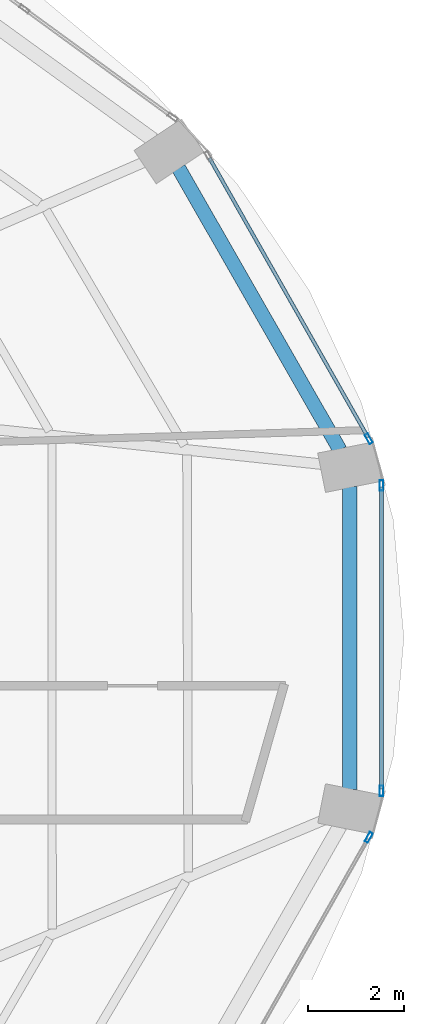
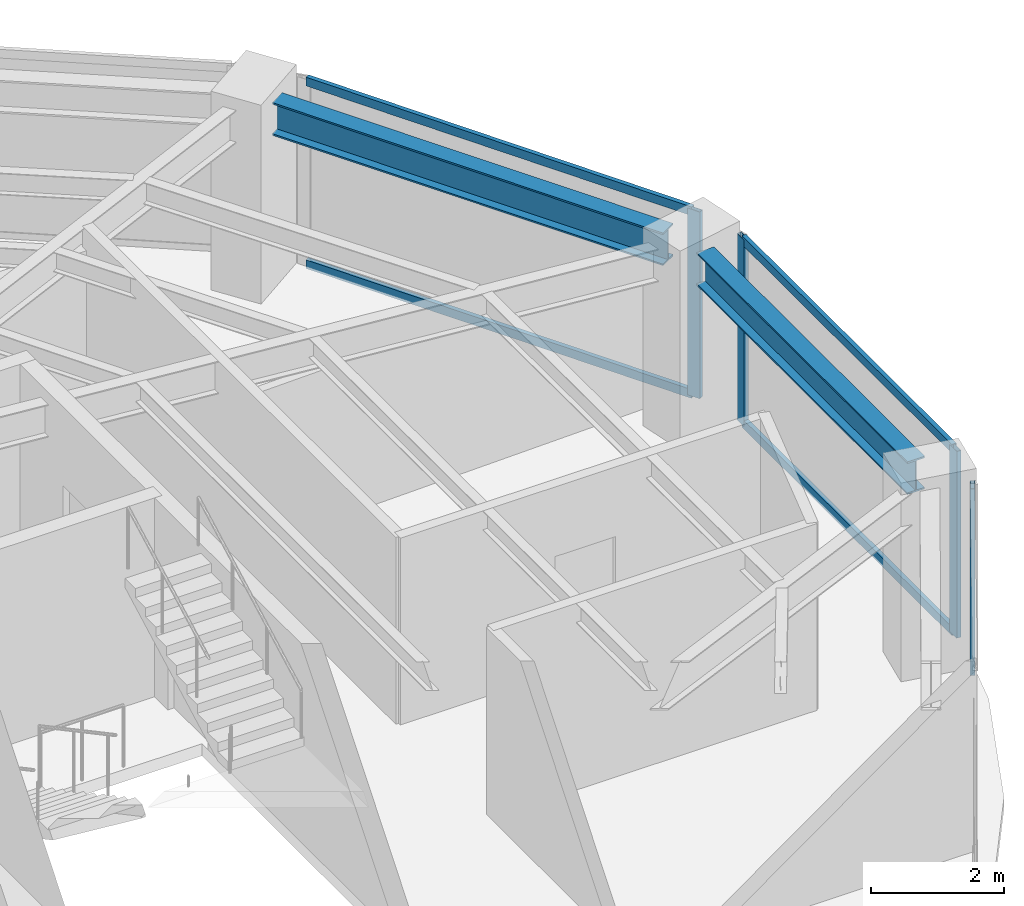
# One storey, part 13 of 23: 8 members, 2 beams, 3 elements without a shape of their own.
"""IFC4 building model written with IfcOpenShell, lengths in metres."""

from ifc_helpers import new_model, si_unit, direction, frame, origin, origin_2d, place, context, subcontext, project, spatial, hollow_rectangle, i_section, extrude, material, layer, layer_set, material_profile, profile_set, type_object, element, aggregate, save


model = new_model("IFC4")

# Units and contexts
model_context = context("Model", 3, precision=1e-05, world=origin(), true_north=direction((0.0, 1.0)))
body_context = subcontext(model_context, "Body", "Model", "MODEL_VIEW")
ifc_project = project(units=[si_unit("LENGTHUNIT", "METRE"), si_unit("AREAUNIT", "SQUARE_METRE"), si_unit("VOLUMEUNIT", "CUBIC_METRE"), si_unit("PLANEANGLEUNIT", "RADIAN"), si_unit("MASSUNIT", "GRAM", prefix="KILO")], contexts=[model_context])

# Site, building, storey
site_placement = place(None, origin())
site = spatial("IfcSite", under=ifc_project, at=site_placement, CompositionType="ELEMENT")
building_placement = place(site_placement, origin())
building = spatial("IfcBuilding", under=site, at=building_placement, Name="Lazwardi Medical Tower", CompositionType="ELEMENT")
storey_placement = place(building_placement, frame((0.0, 0.0, 85.39208984375)))
storey = spatial("IfcBuildingStorey", under=building, at=storey_placement, Name="L21", CompositionType="ELEMENT", Elevation=85.39208984375)

# Beams
ifc_material_1 = material(Name="Steel S355", Category="steel")
ifc_material_profile_1 = material_profile(ifc_material_1, i_section(OverallWidth=0.300048828125, OverallDepth=0.60009765625, WebThickness=0.015380859375, FlangeThickness=0.030029296875, at=origin_2d()), Name="HEB 600")
ifc_profile_set_1 = profile_set([ifc_material_profile_1], Name="Steel S355")
beam_type = type_object("IfcBeamType", Name="BM-RB-Z2", PredefinedType="BEAM", material=ifc_profile_set_1)
beam_1_placement = place(storey_placement, frame((60.86279296875, 27.22998046875, 3.1279296875), z_axis=(0.0, 1.0, 0.0), x_axis=(-1.0, 0.0, 0.0)))
element("IfcBeam", 1, at=beam_1_placement, inside=storey, type_object=beam_type, Name="Ring beam RB-03 B04 L21", PredefinedType="BEAM", context=body_context, shape_type="SweptSolid", body=[
    extrude(i_section(OverallWidth=0.300048828125, OverallDepth=0.60009765625, WebThickness=0.015380859375, FlangeThickness=0.030029296875, at=origin_2d()), origin(), (0.0, 0.0, 1.0), 6.33984375),
])
beam_2_placement = place(storey_placement, frame((60.6591796875, 34.335693359375, 3.1279296875), z_axis=(-0.496637551254, 0.867958030486, 0.0), x_axis=(-0.867958030486, -0.496637551254, 0.0)))
element("IfcBeam", 2, at=beam_2_placement, inside=storey, type_object=beam_type, Name="Ring beam RB-03 B05 L21", PredefinedType="BEAM", context=body_context, shape_type="SweptSolid", body=[
    extrude(i_section(OverallWidth=0.300048828125, OverallDepth=0.60009765625, WebThickness=0.015380859375, FlangeThickness=0.030029296875, at=origin_2d()), origin(), (0.0, 0.0, 1.0), 6.801025390625),
])

# Curtain wall, member
ifc_material_2 = material(Name="Anodised bronze aluminium and solar control glazing", Category="aluminium")
ifc_layer = layer(ifc_material_2, 0.195068359375)
ifc_layer_set = layer_set([ifc_layer], Name="Anodised bronze aluminium and solar control glazing")
curtain_wall_type = type_object("IfcCurtainWallType", Name="CW-SYS-03", PredefinedType="NOTDEFINED", material=ifc_layer_set)
curtain_wall_1_placement = place(storey_placement, origin())
curtain_wall_1 = element("IfcCurtainWall", 3, at=curtain_wall_1_placement, inside=storey, type_object=curtain_wall_type, Name="L21 Unitised bronze curtain wall CW-03", PredefinedType="NOTDEFINED")
ifc_material_3 = material(Name="Anodised bronze aluminium", Category="aluminium")
ifc_material_profile_2 = material_profile(ifc_material_3, hollow_rectangle(XDim=0.074951171875, YDim=0.219970703125, WallThickness=0.00390625, at=origin_2d()), Name="ALU-MULLION 220x75x4")
ifc_profile_set_2 = profile_set([ifc_material_profile_2], Name="Anodised bronze aluminium")
member_type_1 = type_object("IfcMemberType", Name="CW-MUL-01", PredefinedType="MULLION", material=ifc_profile_set_2)
member_1_placement = place(storey_placement, frame((61.2626953125, 26.22607421875, 0.0), z_axis=(0.0, 0.0, 1.0), x_axis=(-0.869687265712, 0.493603140041, 0.0)))
member_1 = element("IfcMember", 4, at=member_1_placement, type_object=member_type_1, Name="CW-03 mullion 2", PredefinedType="MULLION", context=body_context, shape_type="SweptSolid", body=[
    extrude(hollow_rectangle(XDim=0.074951171875, YDim=0.219970703125, WallThickness=0.00390625, at=origin_2d()), origin(), (0.0, 0.0, 1.0), 3.427978515625),
])
aggregate(curtain_wall_1, [member_1])

# Curtain wall, members
curtain_wall_2_placement = place(storey_placement, origin())
curtain_wall_2 = element("IfcCurtainWall", 5, at=curtain_wall_2_placement, inside=storey, type_object=curtain_wall_type, Name="L21 Unitised bronze curtain wall CW-03", PredefinedType="NOTDEFINED")
member_2_placement = place(storey_placement, frame((61.528076171875, 27.20263671875, 0.0), z_axis=(0.0, 0.0, 1.0), x_axis=(-1.0, 0.0, 0.0)))
member_2 = element("IfcMember", 6, at=member_2_placement, type_object=member_type_1, Name="CW-03 mullion 1", PredefinedType="MULLION", context=body_context, shape_type="SweptSolid", body=[
    extrude(hollow_rectangle(XDim=0.074951171875, YDim=0.219970703125, WallThickness=0.00390625, at=origin_2d()), origin(), (0.0, 0.0, 1.0), 3.427978515625),
])
member_3_placement = place(storey_placement, frame((61.528076171875, 33.597412109375, 0.0), z_axis=(0.0, 0.0, 1.0), x_axis=(-1.0, 0.0, 0.0)))
member_3 = element("IfcMember", 7, at=member_3_placement, type_object=member_type_1, Name="CW-03 mullion 2", PredefinedType="MULLION", context=body_context, shape_type="SweptSolid", body=[
    extrude(hollow_rectangle(XDim=0.074951171875, YDim=0.219970703125, WallThickness=0.00390625, at=origin_2d()), origin(), (0.0, 0.0, 1.0), 3.427978515625),
])

# Curtain wall, member
curtain_wall_3_placement = place(storey_placement, origin())
curtain_wall_3 = element("IfcCurtainWall", 8, at=curtain_wall_3_placement, inside=storey, type_object=curtain_wall_type, Name="L21 Unitised bronze curtain wall CW-03", PredefinedType="NOTDEFINED")
member_4_placement = place(storey_placement, frame((61.2626953125, 34.57373046875, 0.0), z_axis=(0.0, 0.0, 1.0), x_axis=(-0.869687265712, -0.493603140041, 0.0)))
member_4 = element("IfcMember", 9, at=member_4_placement, type_object=member_type_1, Name="CW-03 mullion 1", PredefinedType="MULLION", context=body_context, shape_type="SweptSolid", body=[
    extrude(hollow_rectangle(XDim=0.074951171875, YDim=0.219970703125, WallThickness=0.00390625, at=origin_2d()), origin(), (0.0, 0.0, 1.0), 3.427978515625),
])

# Member
ifc_material_profile_3 = material_profile(ifc_material_3, hollow_rectangle(XDim=0.074951171875, YDim=0.159912109375, WallThickness=0.00390625, at=origin_2d()), Name="ALU-TRANSOM 160x75x4")
ifc_profile_set_3 = profile_set([ifc_material_profile_3], Name="Anodised bronze aluminium")
member_type_2 = type_object("IfcMemberType", Name="CW-TRN-01", PredefinedType="USERDEFINED", material=ifc_profile_set_3)
member_5_placement = place(storey_placement, frame((61.528076171875, 27.239990234375, 0.037353515625), z_axis=(0.0, 1.0, 0.0), x_axis=(-1.0, 0.0, 0.0)))
member_5 = element("IfcMember", 10, at=member_5_placement, type_object=member_type_2, Name="CW-03 transom 1.1", ObjectType="TRANSOM", PredefinedType="USERDEFINED", context=body_context, shape_type="SweptSolid", body=[
    extrude(hollow_rectangle(XDim=0.074951171875, YDim=0.159912109375, WallThickness=0.00390625, at=origin_2d()), origin(), (0.0, 0.0, 1.0), 6.31982421875),
])

member_6_placement = place(storey_placement, frame((61.528076171875, 27.239990234375, 3.390380859375), z_axis=(0.0, 1.0, 0.0), x_axis=(-1.0, 0.0, 0.0)))
member_6 = element("IfcMember", 11, at=member_6_placement, type_object=member_type_2, Name="CW-03 transom 1.2", ObjectType="TRANSOM", PredefinedType="USERDEFINED", context=body_context, shape_type="SweptSolid", body=[
    extrude(hollow_rectangle(XDim=0.074951171875, YDim=0.159912109375, WallThickness=0.00390625, at=origin_2d()), origin(), (0.0, 0.0, 1.0), 6.31982421875),
])

aggregate(curtain_wall_2, [member_2, member_3, member_5, member_6])

member_7_placement = place(storey_placement, frame((61.244140625, 34.6064453125, 0.037353515625), z_axis=(-0.493614427365, 0.869680859337, 0.0), x_axis=(-0.869680859337, -0.493614427365, 0.0)))
member_7 = element("IfcMember", 12, at=member_7_placement, type_object=member_type_2, Name="CW-03 transom 1.1", ObjectType="TRANSOM", PredefinedType="USERDEFINED", context=body_context, shape_type="SweptSolid", body=[
    extrude(hollow_rectangle(XDim=0.074951171875, YDim=0.159912109375, WallThickness=0.00390625, at=origin_2d()), origin(), (0.0, 0.0, 1.0), 6.72314453125),
])

member_8_placement = place(storey_placement, frame((61.244140625, 34.6064453125, 3.390380859375), z_axis=(-0.493614427365, 0.869680859337, 0.0), x_axis=(-0.869680859337, -0.493614427365, 0.0)))
member_8 = element("IfcMember", 13, at=member_8_placement, type_object=member_type_2, Name="CW-03 transom 1.2", ObjectType="TRANSOM", PredefinedType="USERDEFINED", context=body_context, shape_type="SweptSolid", body=[
    extrude(hollow_rectangle(XDim=0.074951171875, YDim=0.159912109375, WallThickness=0.00390625, at=origin_2d()), origin(), (0.0, 0.0, 1.0), 6.72314453125),
])

aggregate(curtain_wall_3, [member_4, member_7, member_8])

save(model, "model.ifc")
